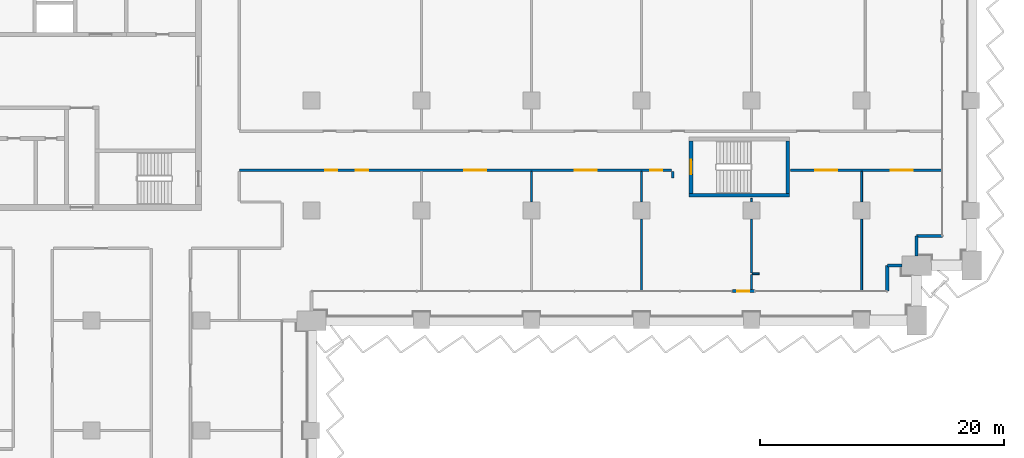
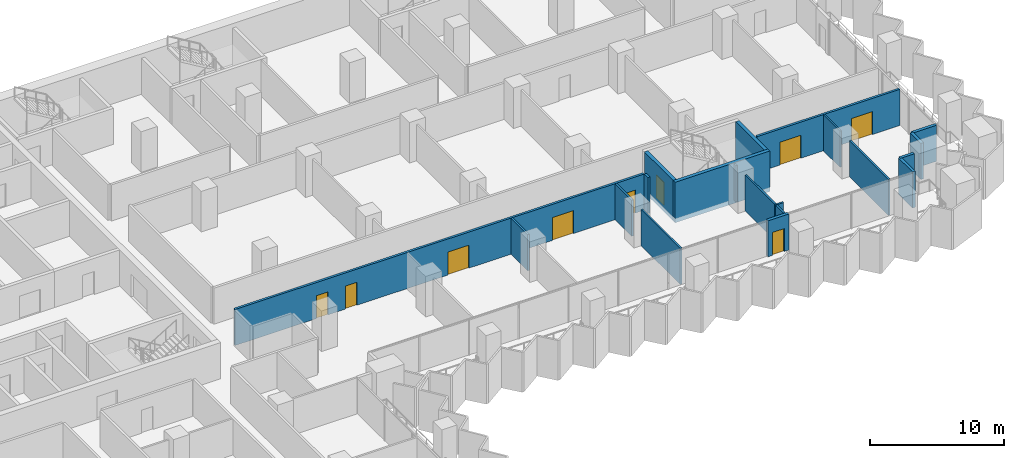
# One storey, part 13 of 28: 20 walls, 9 doors, 9 openings.
"""IFC4 building model written with IfcOpenShell, lengths in metres."""

import ifcopenshell
import ifcopenshell.guid

model = None  # the IFC model being written
_history = None  # IfcOwnerHistory: only IFC2X3 demands one
_inside = {}  # id of a spatial element -> (the spatial element, [elements in it])
_under = {}  # id of a project, library or spatial element -> (it, [spatial elements below it])
_declared = {}  # id of a project -> (the project, [libraries it declares])
_typed = {}  # id of a type object -> (the type object, [elements of that type])
_made_of = {}  # id of a material, layer set ... -> (it, [elements and type objects made of it])


def new_model(schema):
    """Start an empty IFC model of exactly this schema.

    Asked for "IFC4X3", IfcOpenShell would pick the latest addendum, in which some entities
    have other attributes; the version numbers below select the first issue.
    IFC2X3 requires an IfcOwnerHistory on every rooted entity: one is made here for all.
    """
    global model, _history
    if schema == "IFC4X3":
        model = ifcopenshell.file(schema_version=(4, 3, 0, 0))
    else:
        model = ifcopenshell.file(schema=schema)
    _inside.clear()
    _under.clear()
    _declared.clear()
    _typed.clear()
    _made_of.clear()
    _history = None
    if model.schema == "IFC2X3":
        org = make("IfcOrganization", Name="unknown")
        user = make(
            "IfcPersonAndOrganization",
            ThePerson=make("IfcPerson", FamilyName="unknown"),
            TheOrganization=org,
        )
        app = make(
            "IfcApplication",
            ApplicationDeveloper=org,
            Version="unknown",
            ApplicationFullName="unknown",
            ApplicationIdentifier="unknown",
        )
        _history = make(
            "IfcOwnerHistory",
            OwningUser=user,
            OwningApplication=app,
            ChangeAction="ADDED",
            CreationDate=0,
        )
    return model


def make(cls, **values):
    """One entity of the class cls with the attributes given. An attribute that is None is left unset."""
    return model.create_entity(
        cls, **{name: value for name, value in values.items() if value is not None}
    )


def rooted(cls, **values):
    """An entity with a GlobalId (a new one), such as an element, a storey or a relation."""
    return make(cls, GlobalId=ifcopenshell.guid.new(), OwnerHistory=_history, **values)


def si_unit(unit_type, name, prefix=None):
    """IfcSIUnit, for example si_unit("LENGTHUNIT", "METRE", prefix="MILLI")."""
    return make("IfcSIUnit", UnitType=unit_type, Prefix=prefix, Name=name)


def assignment(units):
    """IfcUnitAssignment: the units of a project."""
    return None if units is None else make("IfcUnitAssignment", Units=units)


def point(xyz):
    """IfcCartesianPoint."""
    return None if xyz is None else make("IfcCartesianPoint", Coordinates=xyz)


def direction(xyz):
    """IfcDirection."""
    return None if xyz is None else make("IfcDirection", DirectionRatios=xyz)


def frame(location, z_axis=None, x_axis=None):
    """IfcAxis2Placement3D, a coordinate frame: its origin and axes. An axis left out is left unset."""
    return make(
        "IfcAxis2Placement3D",
        Location=point(location),
        Axis=direction(z_axis),
        RefDirection=direction(x_axis),
    )


def frame_2d(location, x_axis=None):
    """IfcAxis2Placement2D, a coordinate frame in the plane: its origin and x axis."""
    return make(
        "IfcAxis2Placement2D", Location=point(location), RefDirection=direction(x_axis)
    )


def origin():
    """The frame at (0, 0, 0) with its axes left unset."""
    return frame((0.0, 0.0, 0.0))


def place(relative_to, where):
    """IfcLocalPlacement: puts the frame where relative to a parent placement (None: the world)."""
    return make(
        "IfcLocalPlacement", PlacementRelTo=relative_to, RelativePlacement=where
    )


def context(
    kind, dimensions, precision=None, world=None, true_north=None, identifier=None
):
    """IfcGeometricRepresentationContext, for example the 3D "Model" context."""
    return make(
        "IfcGeometricRepresentationContext",
        ContextIdentifier=identifier,
        ContextType=kind,
        CoordinateSpaceDimension=dimensions,
        Precision=precision,
        WorldCoordinateSystem=world,
        TrueNorth=true_north,
    )


def subcontext(parent, identifier, kind, view, scale=None):
    """IfcGeometricRepresentationSubContext, for example "Body" below "Model"."""
    return make(
        "IfcGeometricRepresentationSubContext",
        ContextIdentifier=identifier,
        ContextType=kind,
        ParentContext=parent,
        TargetScale=scale,
        TargetView=view,
    )


def project(units=None, contexts=None):
    """IfcProject with its units and contexts."""
    return rooted(
        "IfcProject",
        Name="project",
        RepresentationContexts=contexts,
        UnitsInContext=assignment(units),
    )


def spatial(cls, under=None, at=None, **own):
    """A site, building, storey or space (cls), placed at a placement, below another one or the project."""
    s = rooted(cls, ObjectPlacement=at, **own)
    if under is not None:
        _under.setdefault(under.id(), (under, []))[1].append(s)
    return s


def profile(cls, at=None, kind="AREA", **sizes):
    """A parametric profile (cls). Its sizes go by their IFC names, for example OverallWidth=200.0."""
    return make(cls, ProfileType=kind, Position=at, **sizes)


def rectangle(**sizes):
    """IfcRectangleProfileDef."""
    return profile("IfcRectangleProfileDef", **sizes)


def extrude(swept, where, along, depth):
    """IfcExtrudedAreaSolid: the profile swept, set in the frame where, extruded along a direction by depth."""
    return make(
        "IfcExtrudedAreaSolid",
        SweptArea=swept,
        Position=where,
        ExtrudedDirection=direction(along),
        Depth=depth,
    )


def shape(context_of_items, identifier, shape_type, items):
    """IfcShapeRepresentation: the items that make up one representation, for example the "Body"."""
    return make(
        "IfcShapeRepresentation",
        ContextOfItems=context_of_items,
        RepresentationIdentifier=identifier,
        RepresentationType=shape_type,
        Items=items,
    )


def material(Name=None, Category=None):
    """IfcMaterial."""
    return make("IfcMaterial", Name=Name, Category=Category)


def layer(
    of_material, thickness, ventilated=None, Name=None, Category=None, Priority=None
):
    """IfcMaterialLayer: one layer of a wall or slab, of a material (None: an air gap)."""
    return make(
        "IfcMaterialLayer",
        Material=of_material,
        LayerThickness=thickness,
        IsVentilated=ventilated,
        Name=Name,
        Category=Category,
        Priority=Priority,
    )


def layer_set(layers, Name=None):
    """IfcMaterialLayerSet."""
    return make("IfcMaterialLayerSet", MaterialLayers=layers, LayerSetName=Name)


def made_of(thing, what):
    """Note that an element or type object is made of a material, layer set ...; save() writes the relation."""
    if what is not None:
        _made_of.setdefault(what.id(), (what, []))[1].append(thing)
    return thing


def type_object(cls, material=None, **own):
    """A type object (cls), such as IfcWallType, which elements share."""
    return made_of(rooted(cls, **own), material)


def element(
    cls,
    number,
    at=None,
    inside=None,
    cuts=None,
    type_object=None,
    material=None,
    context=None,
    identifier="Body",
    shape_type=None,
    held_by="IfcProductDefinitionShape",
    body=None,
    shapes=None,
    **own,
):
    """One element of the class cls, such as IfcWall. Its Tag is "e" and its number.

    at: its placement. inside: the storey or other place that contains it. cuts: it is an
    opening in that element (IfcRelVoidsElement). A single representation is given by context,
    identifier, shape_type and body (its items); several are given by shapes. held_by: the class
    of the entity that holds the representations. save() writes the other relations.
    """
    e = rooted(cls, Tag="e%d" % number, ObjectPlacement=at, **own)
    if body is not None:
        shapes = [shape(context, identifier, shape_type, body)]
    if shapes is not None:
        e.Representation = make(held_by, Representations=shapes)
    if inside is not None:
        _inside.setdefault(inside.id(), (inside, []))[1].append(e)
    if cuts is not None:
        rooted(
            "IfcRelVoidsElement", RelatingBuildingElement=cuts, RelatedOpeningElement=e
        )
    if type_object is not None:
        _typed.setdefault(type_object.id(), (type_object, []))[1].append(e)
    return made_of(e, material)


def fill(opening, filler):
    """IfcRelFillsElement: the door or window that sits in an opening."""
    return rooted(
        "IfcRelFillsElement",
        RelatingOpeningElement=opening,
        RelatedBuildingElement=filler,
    )


def aggregate(whole, parts):
    """IfcRelAggregates: a whole, such as a stair, and the parts it consists of."""
    return rooted("IfcRelAggregates", RelatingObject=whole, RelatedObjects=parts)


def save(model, path):
    """Write the relations noted so far, then the file.

    IfcRelAggregates (storeys below a building ...), IfcRelContainedInSpatialStructure (elements
    in a storey), IfcRelDefinesByType, IfcRelAssociatesMaterial and IfcRelDeclares: one each for
    every whole, place, type object, material and project.
    """
    for whole, parts in _under.values():
        aggregate(whole, parts)
    for where, things in _inside.values():
        rooted(
            "IfcRelContainedInSpatialStructure",
            RelatedElements=things,
            RelatingStructure=where,
        )
    for kind, things in _typed.values():
        rooted("IfcRelDefinesByType", RelatedObjects=things, RelatingType=kind)
    for what, things in _made_of.values():
        rooted("IfcRelAssociatesMaterial", RelatedObjects=things, RelatingMaterial=what)
    for by, libraries in _declared.values():
        rooted("IfcRelDeclares", RelatingContext=by, RelatedDefinitions=libraries)
    model.write(path)


model = new_model("IFC4")

# Units and contexts
model_context = context("Model", 3, precision=1e-05, world=origin(), true_north=direction((0.0, 1.0)))
body_context = subcontext(model_context, "Body", "Model", "MODEL_VIEW")
ifc_project = project(units=[si_unit("LENGTHUNIT", "METRE"), si_unit("AREAUNIT", "SQUARE_METRE"), si_unit("VOLUMEUNIT", "CUBIC_METRE"), si_unit("PLANEANGLEUNIT", "RADIAN"), si_unit("MASSUNIT", "GRAM", prefix="KILO")], contexts=[model_context])

# Site, building, storey
site_placement = place(None, origin())
site = spatial("IfcSite", under=ifc_project, at=site_placement, CompositionType="ELEMENT")
building_placement = place(site_placement, origin())
building = spatial("IfcBuilding", under=site, at=building_placement, Name="Hunhe Ridgeline Campus", CompositionType="ELEMENT")
storey_placement = place(building_placement, frame((0.0, 0.0, 58.0)))
storey = spatial("IfcBuildingStorey", under=building, at=storey_placement, Name="L13", CompositionType="ELEMENT", Elevation=58.0)

# Walls
ifc_material_1 = material(Name="Concrete C30", Category="concrete")
ifc_layer_1 = layer(ifc_material_1, 0.25)
ifc_layer_set_1 = layer_set([ifc_layer_1], Name="Corner return wall 250 Concrete C30")
wall_type_1 = type_object("IfcWallType", Name="Corner return wall 250 Concrete C30", PredefinedType="SOLIDWALL", material=ifc_layer_set_1)
wall_1_placement = place(storey_placement, frame((92.09912109375, 56.40087890625, 0.0), z_axis=(0.0, 0.0, 1.0), x_axis=(0.00011626555, 0.999999993241, 0.0)))
element("IfcWall", 1, at=wall_1_placement, inside=storey, type_object=wall_type_1, Name="Corner return wall 4", PredefinedType="SOLIDWALL", context=body_context, shape_type="SweptSolid", body=[
    extrude(rectangle(XDim=2.099853515625, YDim=0.25, at=frame_2d((1.0498046875, 0.0))), origin(), (0.0, 0.0, 1.0), 3.300048828125),
])
wall_2_placement = place(storey_placement, frame((92.099365234375, 58.500732421875, 0.0), z_axis=(0.0, 0.0, 1.0), x_axis=(1.0, 0.0, 0.0)))
element("IfcWall", 2, at=wall_2_placement, inside=storey, type_object=wall_type_1, Name="Corner return wall 5", PredefinedType="SOLIDWALL", context=body_context, shape_type="SweptSolid", body=[
    extrude(rectangle(XDim=1.20068359375, YDim=0.25, at=frame_2d((0.600341796875, 0.0))), origin(), (0.0, 0.0, 1.0), 3.300048828125),
])
wall_3_placement = place(storey_placement, frame((94.4990234375, 59.300048828125, 0.0), z_axis=(0.0, 0.0, 1.0), x_axis=(0.00015253203, 0.999999988367, 0.0)))
element("IfcWall", 3, at=wall_3_placement, inside=storey, type_object=wall_type_1, Name="Corner return wall 6", PredefinedType="SOLIDWALL", context=body_context, shape_type="SweptSolid", body=[
    extrude(rectangle(XDim=1.6005859375, YDim=0.25, at=frame_2d((0.80029296875, 0.0))), origin(), (0.0, 0.0, 1.0), 3.300048828125),
])
wall_4_placement = place(storey_placement, frame((94.499267578125, 60.900634765625, 0.0), z_axis=(0.0, 0.0, 1.0), x_axis=(0.999999993241, 0.00011626555, 0.0)))
element("IfcWall", 4, at=wall_4_placement, inside=storey, type_object=wall_type_1, Name="Corner return wall 7", PredefinedType="SOLIDWALL", context=body_context, shape_type="SweptSolid", body=[
    extrude(rectangle(XDim=2.099853515625, YDim=0.25, at=frame_2d((1.0498046875, 0.0))), origin(), (0.0, 0.0, 1.0), 3.300048828125),
])

# Wall, openings, doors
ifc_material_2 = material(Name="Gypsum board partition")
ifc_layer_2 = layer(ifc_material_2, 0.199951171875)
ifc_layer_set_2 = layer_set([ifc_layer_2], Name="Corridor partition 200 gypsum board on steel studs")
wall_type_2 = type_object("IfcWallType", Name="Corridor partition 200 gypsum board on steel studs", PredefinedType="PARTITIONING", material=ifc_layer_set_2)
wall_5_placement = place(storey_placement, frame((74.449951171875, 66.300048828125, 0.0), z_axis=(0.0, 0.0, 1.0), x_axis=(-1.0, 0.0, 0.0)))
wall_5 = element("IfcWall", 5, at=wall_5_placement, inside=storey, type_object=wall_type_2, Name="F-L13-wall-039", PredefinedType="PARTITIONING", context=body_context, shape_type="SweptSolid", body=[
    extrude(rectangle(XDim=35.349853515625, YDim=0.199951171875, at=frame_2d((17.6748046875, 0.0))), origin(), (0.0, 0.0, 1.0), 3.300048828125),
])
opening_1_placement = place(wall_5_placement, frame((27.32861328125, 0.0, 0.0)))
opening_1 = element("IfcOpeningElement", 6, at=opening_1_placement, cuts=wall_5, Name="Opening RD1-023", PredefinedType="OPENING", context=body_context, shape_type="SweptSolid", body=[
    extrude(rectangle(XDim=1.0, YDim=2.10009765625, at=frame_2d((0.5, 1.050048828125))), frame((0.0, 0.10009765625, 0.0), z_axis=(0.0, -1.0, 0.0), x_axis=(1.0, 0.0, 0.0)), (0.0, 0.0, 1.0), 0.199951171875),
])
opening_2_placement = place(wall_5_placement, frame((24.82861328125, 0.0, 0.0)))
opening_2 = element("IfcOpeningElement", 7, at=opening_2_placement, cuts=wall_5, Name="Opening RD1-024", PredefinedType="OPENING", context=body_context, shape_type="SweptSolid", body=[
    extrude(rectangle(XDim=1.0, YDim=2.10009765625, at=frame_2d((0.5, 1.050048828125))), frame((0.0, 0.10009765625, 0.0), z_axis=(0.0, -1.0, 0.0), x_axis=(1.0, 0.0, 0.0)), (0.0, 0.0, 1.0), 0.199951171875),
])
opening_3_placement = place(wall_5_placement, frame((15.1455078125, 0.0, 0.0)))
opening_3 = element("IfcOpeningElement", 8, at=opening_3_placement, cuts=wall_5, Name="Opening RD2-025", PredefinedType="OPENING", context=body_context, shape_type="SweptSolid", body=[
    extrude(rectangle(XDim=1.800048828125, YDim=2.10009765625, at=frame_2d((0.89990234375, 1.050048828125))), frame((0.0, 0.10009765625, 0.0), z_axis=(0.0, -1.0, 0.0), x_axis=(1.0, 0.0, 0.0)), (0.0, 0.0, 1.0), 0.199951171875),
])
opening_4_placement = place(wall_5_placement, frame((6.119873046875, 0.0, 0.0)))
opening_4 = element("IfcOpeningElement", 9, at=opening_4_placement, cuts=wall_5, Name="Opening RD2-026", PredefinedType="OPENING", context=body_context, shape_type="SweptSolid", body=[
    extrude(rectangle(XDim=1.800048828125, YDim=2.10009765625, at=frame_2d((0.89990234375, 1.050048828125))), frame((0.0, 0.10009765625, 0.0), z_axis=(0.0, -1.0, 0.0), x_axis=(1.0, 0.0, 0.0)), (0.0, 0.0, 1.0), 0.199951171875),
])
opening_5_placement = place(wall_5_placement, frame((0.75341796875, 0.0, 0.0)))
opening_5 = element("IfcOpeningElement", 10, at=opening_5_placement, cuts=wall_5, Name="Opening RD1-027", PredefinedType="OPENING", context=body_context, shape_type="SweptSolid", body=[
    extrude(rectangle(XDim=1.0, YDim=2.10009765625, at=frame_2d((0.5, 1.050048828125))), frame((0.0, 0.10009765625, 0.0), z_axis=(0.0, -1.0, 0.0), x_axis=(1.0, 0.0, 0.0)), (0.0, 0.0, 1.0), 0.199951171875),
])
ifc_material_3 = material(Name="Timber door leaf", Category="wood")
door_type_1 = type_object("IfcDoorType", Name="Double fire door 1800x2100 timber FD60", OperationType="DOUBLE_DOOR_SINGLE_SWING", PredefinedType="DOOR", material=ifc_material_3)
door_1_placement = place(opening_3_placement, origin())
door_1 = element("IfcDoor", 11, at=door_1_placement, inside=storey, type_object=door_type_1, Name="F-L13-door-025", OperationType="DOUBLE_DOOR_SINGLE_SWING", OverallHeight=2.10009765625, OverallWidth=1.800048828125, PredefinedType="DOOR", context=body_context, shape_type="SweptSolid", body=[
    extrude(rectangle(XDim=1.800048828125, YDim=2.10009765625, at=frame_2d((0.89990234375, 1.050048828125))), frame((0.0, 0.02490234375, 0.0), z_axis=(0.0, -1.0, 0.0), x_axis=(1.0, 0.0, 0.0)), (0.0, 0.0, 1.0), 0.050048828125),
])
fill(opening_3, door_1)
door_2_placement = place(opening_4_placement, origin())
door_2 = element("IfcDoor", 12, at=door_2_placement, inside=storey, type_object=door_type_1, Name="F-L13-door-026", OperationType="DOUBLE_DOOR_SINGLE_SWING", OverallHeight=2.10009765625, OverallWidth=1.800048828125, PredefinedType="DOOR", context=body_context, shape_type="SweptSolid", body=[
    extrude(rectangle(XDim=1.800048828125, YDim=2.10009765625, at=frame_2d((0.89990234375, 1.050048828125))), frame((0.0, 0.02490234375, 0.0), z_axis=(0.0, -1.0, 0.0), x_axis=(1.0, 0.0, 0.0)), (0.0, 0.0, 1.0), 0.050048828125),
])
fill(opening_4, door_2)
door_type_2 = type_object("IfcDoorType", Name="Single fire door 1000x2100 timber FD60", OperationType="NOTDEFINED", PredefinedType="DOOR", material=ifc_material_3)
door_3_placement = place(opening_1_placement, frame((1.0, 0.0, 0.0), z_axis=(0.0, 0.0, 1.0), x_axis=(-1.0, 0.0, 0.0)))
door_3 = element("IfcDoor", 13, at=door_3_placement, inside=storey, type_object=door_type_2, Name="F-L13-door-023", OperationType="SINGLE_SWING_RIGHT", OverallHeight=2.10009765625, OverallWidth=1.0, PredefinedType="DOOR", context=body_context, shape_type="SweptSolid", body=[
    extrude(rectangle(XDim=1.0, YDim=2.10009765625, at=frame_2d((0.5, 1.050048828125))), frame((0.0, 0.02490234375, 0.0), z_axis=(0.0, -1.0, 0.0), x_axis=(1.0, 0.0, 0.0)), (0.0, 0.0, 1.0), 0.050048828125),
])
fill(opening_1, door_3)
door_4_placement = place(opening_2_placement, frame((1.0, 0.0, 0.0), z_axis=(0.0, 0.0, 1.0), x_axis=(-1.0, 0.0, 0.0)))
door_4 = element("IfcDoor", 14, at=door_4_placement, inside=storey, type_object=door_type_2, Name="F-L13-door-024", OperationType="SINGLE_SWING_RIGHT", OverallHeight=2.10009765625, OverallWidth=1.0, PredefinedType="DOOR", context=body_context, shape_type="SweptSolid", body=[
    extrude(rectangle(XDim=1.0, YDim=2.10009765625, at=frame_2d((0.5, 1.050048828125))), frame((0.0, 0.02490234375, 0.0), z_axis=(0.0, -1.0, 0.0), x_axis=(1.0, 0.0, 0.0)), (0.0, 0.0, 1.0), 0.050048828125),
])
fill(opening_2, door_4)
door_5_placement = place(opening_5_placement, frame((1.0, 0.0, 0.0), z_axis=(0.0, 0.0, 1.0), x_axis=(-1.0, 0.0, 0.0)))
door_5 = element("IfcDoor", 15, at=door_5_placement, inside=storey, type_object=door_type_2, Name="F-L13-door-027", OperationType="SINGLE_SWING_RIGHT", OverallHeight=2.10009765625, OverallWidth=1.0, PredefinedType="DOOR", context=body_context, shape_type="SweptSolid", body=[
    extrude(rectangle(XDim=1.0, YDim=2.10009765625, at=frame_2d((0.5, 1.050048828125))), frame((0.0, 0.02490234375, 0.0), z_axis=(0.0, -1.0, 0.0), x_axis=(1.0, 0.0, 0.0)), (0.0, 0.0, 1.0), 0.050048828125),
])
fill(opening_5, door_5)

wall_6_placement = place(storey_placement, frame((96.544921875, 66.300048828125, 0.0), z_axis=(0.0, 0.0, 1.0), x_axis=(-1.0, 0.0, 0.0)))
wall_6 = element("IfcWall", 16, at=wall_6_placement, inside=storey, type_object=wall_type_2, Name="F-L13-wall-040", PredefinedType="PARTITIONING", context=body_context, shape_type="SweptSolid", body=[
    extrude(rectangle(XDim=12.3408203125, YDim=0.199951171875, at=frame_2d((6.17041015625, 0.0))), origin(), (0.0, 0.0, 1.0), 3.300048828125),
])
opening_6_placement = place(wall_6_placement, frame((8.544677734375, 0.0, 0.0)))
opening_6 = element("IfcOpeningElement", 17, at=opening_6_placement, cuts=wall_6, Name="Opening RD2-028", PredefinedType="OPENING", context=body_context, shape_type="SweptSolid", body=[
    extrude(rectangle(XDim=1.800048828125, YDim=2.10009765625, at=frame_2d((0.89990234375, 1.050048828125))), frame((0.0, 0.10009765625, 0.0), z_axis=(0.0, -1.0, 0.0), x_axis=(1.0, 0.0, 0.0)), (0.0, 0.0, 1.0), 0.199951171875),
])
opening_7_placement = place(wall_6_placement, frame((2.3740234375, 0.0, 0.0)))
opening_7 = element("IfcOpeningElement", 18, at=opening_7_placement, cuts=wall_6, Name="Opening RD2-029", PredefinedType="OPENING", context=body_context, shape_type="SweptSolid", body=[
    extrude(rectangle(XDim=1.800048828125, YDim=2.10009765625, at=frame_2d((0.89990234375, 1.050048828125))), frame((0.0, 0.10009765625, 0.0), z_axis=(0.0, -1.0, 0.0), x_axis=(1.0, 0.0, 0.0)), (0.0, 0.0, 1.0), 0.199951171875),
])
door_6_placement = place(opening_6_placement, origin())
door_6 = element("IfcDoor", 19, at=door_6_placement, inside=storey, type_object=door_type_1, Name="F-L13-door-028", OperationType="DOUBLE_DOOR_SINGLE_SWING", OverallHeight=2.10009765625, OverallWidth=1.800048828125, PredefinedType="DOOR", context=body_context, shape_type="SweptSolid", body=[
    extrude(rectangle(XDim=1.800048828125, YDim=2.10009765625, at=frame_2d((0.89990234375, 1.050048828125))), frame((0.0, 0.02490234375, 0.0), z_axis=(0.0, -1.0, 0.0), x_axis=(1.0, 0.0, 0.0)), (0.0, 0.0, 1.0), 0.050048828125),
])
fill(opening_6, door_6)
door_7_placement = place(opening_7_placement, origin())
door_7 = element("IfcDoor", 20, at=door_7_placement, inside=storey, type_object=door_type_1, Name="F-L13-door-029", OperationType="DOUBLE_DOOR_SINGLE_SWING", OverallHeight=2.10009765625, OverallWidth=1.800048828125, PredefinedType="DOOR", context=body_context, shape_type="SweptSolid", body=[
    extrude(rectangle(XDim=1.800048828125, YDim=2.10009765625, at=frame_2d((0.89990234375, 1.050048828125))), frame((0.0, 0.02490234375, 0.0), z_axis=(0.0, -1.0, 0.0), x_axis=(1.0, 0.0, 0.0)), (0.0, 0.0, 1.0), 0.050048828125),
])
fill(opening_7, door_7)

# Wall
wall_7_placement = place(storey_placement, frame((74.550048828125, 65.64990234375, 0.0), z_axis=(0.0, 0.0, 1.0), x_axis=(0.0, 1.0, 0.0)))
element("IfcWall", 21, at=wall_7_placement, inside=storey, type_object=wall_type_2, Name="F-L13-wall-083", PredefinedType="PARTITIONING", context=body_context, shape_type="SweptSolid", body=[
    extrude(rectangle(XDim=0.550048828125, YDim=0.199951171875, at=frame_2d((0.27490234375, 0.0))), origin(), (0.0, 0.0, 1.0), 3.300048828125),
])

# Wall, opening, door
ifc_layer_3 = layer(ifc_material_1, 0.25)
ifc_layer_set_3 = layer_set([ifc_layer_3], Name="Loggia door pier wall 250 Concrete C30")
wall_type_3 = type_object("IfcWallType", Name="Loggia door pier wall 250 Concrete C30", PredefinedType="SOLIDWALL", material=ifc_layer_set_3)
wall_8_placement = place(storey_placement, frame((79.424072265625, 56.40087890625, 0.0), z_axis=(0.0, 0.0, 1.0), x_axis=(1.0, 0.0, 0.0)))
wall_8 = element("IfcWall", 22, at=wall_8_placement, inside=storey, type_object=wall_type_3, Name="Loggia door pier 4", PredefinedType="SOLIDWALL", context=body_context, shape_type="SweptSolid", body=[
    extrude(rectangle(XDim=1.800048828125, YDim=0.25, at=frame_2d((0.89990234375, 0.0))), origin(), (0.0, 0.0, 1.0), 3.300048828125),
])
opening_8_placement = place(wall_8_placement, frame((0.39990234375, 0.0, 0.0)))
opening_8 = element("IfcOpeningElement", 23, at=opening_8_placement, cuts=wall_8, Name="Opening BD107", PredefinedType="OPENING", context=body_context, shape_type="SweptSolid", body=[
    extrude(rectangle(XDim=1.0, YDim=2.10009765625, at=frame_2d((0.5, 1.050048828125))), frame((0.0, 0.125, 0.0), z_axis=(0.0, -1.0, 0.0), x_axis=(1.0, 0.0, 0.0)), (0.0, 0.0, 1.0), 0.25),
])
ifc_material_4 = material(Name="Aluminium 6063", Category="aluminium")
door_type_3 = type_object("IfcDoorType", Name="Loggia glazed door 1000x2100", OperationType="NOTDEFINED", PredefinedType="DOOR", material=ifc_material_4)
door_8_placement = place(opening_8_placement, frame((1.0, 0.0, 0.0), z_axis=(0.0, 0.0, 1.0), x_axis=(-1.0, 0.0, 0.0)))
door_8 = element("IfcDoor", 24, at=door_8_placement, inside=storey, type_object=door_type_3, Name="Loggia door BD107", OperationType="SINGLE_SWING_RIGHT", OverallHeight=2.10009765625, OverallWidth=1.0, PredefinedType="DOOR", context=body_context, shape_type="SweptSolid", body=[
    extrude(rectangle(XDim=1.0, YDim=2.10009765625, at=frame_2d((0.5, 1.050048828125))), frame((0.0, 0.02490234375, 0.0), z_axis=(0.0, -1.0, 0.0), x_axis=(1.0, 0.0, 0.0)), (0.0, 0.0, 1.0), 0.050048828125),
])
fill(opening_8, door_8)

# Walls
ifc_layer_4 = layer(ifc_material_2, 0.14990234375)
ifc_layer_set_4 = layer_set([ifc_layer_4], Name="Room partition 150 gypsum board on steel studs")
wall_type_4 = type_object("IfcWallType", Name="Room partition 150 gypsum board on steel studs", PredefinedType="PARTITIONING", material=ifc_layer_set_4)
wall_9_placement = place(storey_placement, frame((81.074951171875, 57.825927734375, 0.0), z_axis=(0.0, 0.0, 1.0), x_axis=(1.0, 0.0, 0.0)))
element("IfcWall", 25, at=wall_9_placement, inside=storey, type_object=wall_type_4, Name="F-L13-wall-034", PredefinedType="PARTITIONING", context=body_context, shape_type="SweptSolid", body=[
    extrude(rectangle(XDim=0.549072265625, YDim=0.14990234375, at=frame_2d((0.2744140625, 0.0))), origin(), (0.0, 0.0, 1.0), 3.300048828125),
])
wall_10_placement = place(storey_placement, frame((63.0, 66.199951171875, 0.0), z_axis=(0.0, 0.0, 1.0), x_axis=(0.0, -1.0, 0.0)))
element("IfcWall", 26, at=wall_10_placement, inside=storey, type_object=wall_type_4, Name="F-L13-wall-074", PredefinedType="PARTITIONING", context=body_context, shape_type="SweptSolid", body=[
    extrude(rectangle(XDim=2.5, YDim=0.14990234375, at=frame_2d((1.25, 0.0))), origin(), (0.0, 0.0, 1.0), 3.300048828125),
])
wall_11_placement = place(storey_placement, frame((72.0, 62.300048828125, 0.0), z_axis=(0.0, 0.0, 1.0), x_axis=(0.0, -1.0, 0.0)))
element("IfcWall", 27, at=wall_11_placement, inside=storey, type_object=wall_type_4, Name="F-L13-wall-079", PredefinedType="PARTITIONING", context=body_context, shape_type="SweptSolid", body=[
    extrude(rectangle(XDim=5.84521484375, YDim=0.14990234375, at=frame_2d((2.922607421875, 0.0))), origin(), (0.0, 0.0, 1.0), 3.300048828125),
])
wall_12_placement = place(storey_placement, frame((72.0, 66.199951171875, 0.0), z_axis=(0.0, 0.0, 1.0), x_axis=(0.0, -1.0, 0.0)))
element("IfcWall", 28, at=wall_12_placement, inside=storey, type_object=wall_type_4, Name="F-L13-wall-080", PredefinedType="PARTITIONING", context=body_context, shape_type="SweptSolid", body=[
    extrude(rectangle(XDim=2.5, YDim=0.14990234375, at=frame_2d((1.25, 0.0))), origin(), (0.0, 0.0, 1.0), 3.300048828125),
])
wall_13_placement = place(storey_placement, frame((81.0, 57.7509765625, 0.0), z_axis=(0.0, 0.0, 1.0), x_axis=(0.0, -1.0, 0.0)))
element("IfcWall", 29, at=wall_13_placement, inside=storey, type_object=wall_type_4, Name="F-L13-wall-085", PredefinedType="PARTITIONING", context=body_context, shape_type="SweptSolid", body=[
    extrude(rectangle(XDim=1.205078125, YDim=0.14990234375, at=frame_2d((0.6025390625, 0.0))), origin(), (0.0, 0.0, 1.0), 3.300048828125),
])
wall_14_placement = place(storey_placement, frame((81.0, 62.300048828125, 0.0), z_axis=(0.0, 0.0, 1.0), x_axis=(0.0, -1.0, 0.0)))
element("IfcWall", 30, at=wall_14_placement, inside=storey, type_object=wall_type_4, Name="F-L13-wall-086", PredefinedType="PARTITIONING", context=body_context, shape_type="SweptSolid", body=[
    extrude(rectangle(XDim=4.399169921875, YDim=0.14990234375, at=frame_2d((2.19970703125, 0.0))), origin(), (0.0, 0.0, 1.0), 3.300048828125),
])
wall_15_placement = place(storey_placement, frame((81.0, 63.99609375, 0.0), z_axis=(0.0, 0.0, 1.0), x_axis=(0.0, -1.0, 0.0)))
element("IfcWall", 31, at=wall_15_placement, inside=storey, type_object=wall_type_4, Name="F-L13-wall-087", PredefinedType="PARTITIONING", context=body_context, shape_type="SweptSolid", body=[
    extrude(rectangle(XDim=0.296142578125, YDim=0.14990234375, at=frame_2d((0.14794921875, 0.0))), origin(), (0.0, 0.0, 1.0), 3.300048828125),
])
wall_16_placement = place(storey_placement, frame((90.0, 62.300048828125, 0.0), z_axis=(0.0, 0.0, 1.0), x_axis=(0.0, -1.0, 0.0)))
element("IfcWall", 32, at=wall_16_placement, inside=storey, type_object=wall_type_4, Name="F-L13-wall-092", PredefinedType="PARTITIONING", context=body_context, shape_type="SweptSolid", body=[
    extrude(rectangle(XDim=5.844970703125, YDim=0.14990234375, at=frame_2d((2.92236328125, 0.0))), origin(), (0.0, 0.0, 1.0), 3.300048828125),
])
wall_17_placement = place(storey_placement, frame((90.0, 66.199951171875, 0.0), z_axis=(0.0, 0.0, 1.0), x_axis=(0.0, -1.0, 0.0)))
element("IfcWall", 33, at=wall_17_placement, inside=storey, type_object=wall_type_4, Name="F-L13-wall-093", PredefinedType="PARTITIONING", context=body_context, shape_type="SweptSolid", body=[
    extrude(rectangle(XDim=2.5, YDim=0.14990234375, at=frame_2d((1.25, 0.0))), origin(), (0.0, 0.0, 1.0), 3.300048828125),
])
ifc_material_5 = material(Name="Concrete C80", Category="concrete")
ifc_layer_5 = layer(ifc_material_5, 0.300048828125)
ifc_layer_set_5 = layer_set([ifc_layer_5], Name="Stair wall 300 reinforced concrete C80")
wall_type_5 = type_object("IfcWallType", Name="Stair wall 300 reinforced concrete C80", PredefinedType="SOLIDWALL", material=ifc_layer_set_5)
wall_18_placement = place(storey_placement, frame((75.89990234375, 64.25, -0.39990234375), z_axis=(0.0, 0.0, 1.0), x_axis=(1.0, 0.0, 0.0)))
element("IfcWall", 34, at=wall_18_placement, inside=storey, type_object=wall_type_5, Name="L13 core wall 8", PredefinedType="SOLIDWALL", context=body_context, shape_type="SweptSolid", body=[
    extrude(rectangle(XDim=8.2001953125, YDim=0.300048828125, at=frame_2d((4.10009765625, 0.0))), origin(), (0.0, 0.0, 1.0), 3.699951171875),
])

# Wall, opening, door
wall_19_placement = place(storey_placement, frame((76.050048828125, 64.39990234375, -0.39990234375), z_axis=(0.0, 0.0, 1.0), x_axis=(0.0, 1.0, 0.0)))
wall_19 = element("IfcWall", 35, at=wall_19_placement, inside=storey, type_object=wall_type_5, Name="L13 core wall 70", PredefinedType="SOLIDWALL", context=body_context, shape_type="SweptSolid", body=[
    extrude(rectangle(XDim=4.300048828125, YDim=0.300048828125, at=frame_2d((2.14990234375, 0.0))), origin(), (0.0, 0.0, 1.0), 3.699951171875),
])
opening_9_placement = place(wall_19_placement, frame((1.550048828125, 0.0, 0.39990234375)))
opening_9 = element("IfcOpeningElement", 36, at=opening_9_placement, cuts=wall_19, Name="Opening CD24", PredefinedType="OPENING", context=body_context, shape_type="SweptSolid", body=[
    extrude(rectangle(XDim=1.199951171875, YDim=2.10009765625, at=frame_2d((0.60009765625, 1.050048828125))), frame((0.0, 0.14990234375, 0.0), z_axis=(0.0, -1.0, 0.0), x_axis=(1.0, 0.0, 0.0)), (0.0, 0.0, 1.0), 0.300048828125),
])
ifc_material_6 = material(Name="Hollow metal fire door leaf")
door_type_4 = type_object("IfcDoorType", Name="Stair door 1200x2100 FD60", OperationType="SINGLE_SWING_LEFT", PredefinedType="DOOR", material=ifc_material_6)
door_9_placement = place(opening_9_placement, origin())
door_9 = element("IfcDoor", 37, at=door_9_placement, inside=storey, type_object=door_type_4, Name="L13 door E5", OperationType="SINGLE_SWING_RIGHT", OverallHeight=2.10009765625, OverallWidth=1.199951171875, PredefinedType="DOOR", context=body_context, shape_type="SweptSolid", body=[
    extrude(rectangle(XDim=1.199951171875, YDim=2.10009765625, at=frame_2d((0.60009765625, 1.050048828125))), frame((0.0, 0.02490234375, 0.0), z_axis=(0.0, -1.0, 0.0), x_axis=(1.0, 0.0, 0.0)), (0.0, 0.0, 1.0), 0.050048828125),
])
fill(opening_9, door_9)

# Wall
wall_20_placement = place(storey_placement, frame((83.949951171875, 64.39990234375, -0.39990234375), z_axis=(0.0, 0.0, 1.0), x_axis=(0.0, 1.0, 0.0)))
element("IfcWall", 38, at=wall_20_placement, inside=storey, type_object=wall_type_5, Name="L13 core wall 71", PredefinedType="SOLIDWALL", context=body_context, shape_type="SweptSolid", body=[
    extrude(rectangle(XDim=4.300048828125, YDim=0.300048828125, at=frame_2d((2.14990234375, 0.0))), origin(), (0.0, 0.0, 1.0), 3.699951171875),
])

save(model, "model.ifc")
